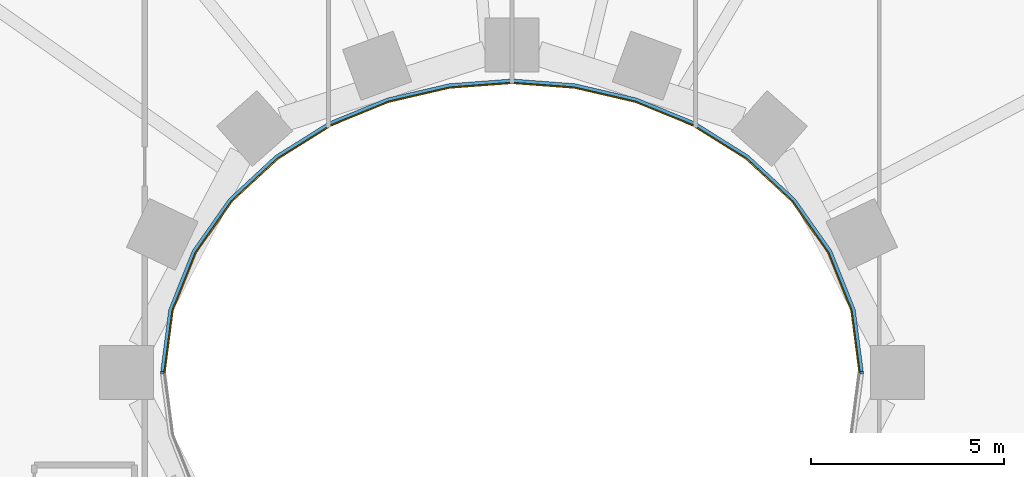
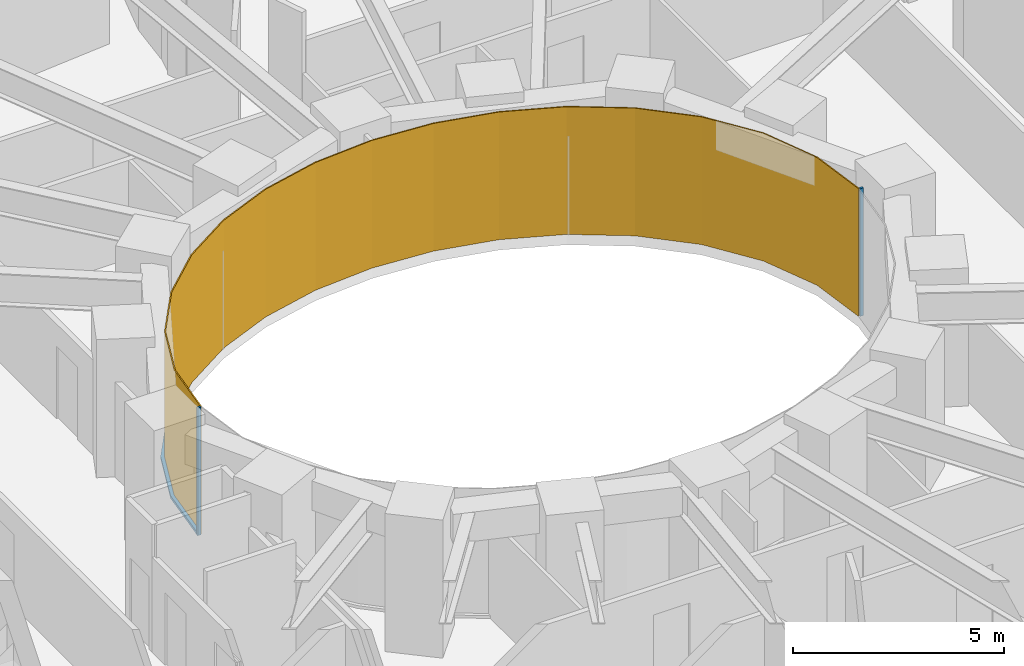
# One storey, part 12 of 16: 3 members, 1 curtain wall.
"""IFC4 building model written with IfcOpenShell, lengths in metres."""

from ifc_helpers import new_model, si_unit, direction, frame, origin, origin_2d, place, context, subcontext, project, spatial, polyline, rectangle, outline, extrude, material, layer, layer_set, material_profile, profile_set, type_object, element, aggregate, save


model = new_model("IFC4")

# Units and contexts
model_context = context("Model", 3, precision=1e-05, world=origin(), true_north=direction((0.0, 1.0)))
body_context = subcontext(model_context, "Body", "Model", "MODEL_VIEW")
ifc_project = project(units=[si_unit("LENGTHUNIT", "METRE"), si_unit("AREAUNIT", "SQUARE_METRE"), si_unit("VOLUMEUNIT", "CUBIC_METRE"), si_unit("PLANEANGLEUNIT", "RADIAN"), si_unit("MASSUNIT", "GRAM", prefix="KILO")], contexts=[model_context])

# Member
ifc_material_1 = material(Name="Steel S355 fire-resisting frame", Category="steel")
ifc_material_profile = material_profile(ifc_material_1, rectangle(XDim=0.090087890625, YDim=0.06005859375, at=origin_2d()), Name="90x60")
ifc_profile_set = profile_set([ifc_material_profile], Name="Steel S355 fire-resisting frame")
member_type_1 = type_object("IfcMemberType", Name="ENV-MULLION-W-90", PredefinedType="MULLION", material=ifc_profile_set)
site_placement = place(None, origin())
building_placement = place(site_placement, origin())
storey_placement = place(building_placement, frame((0.0, 0.0, 46.5)))
member_1_placement = place(storey_placement, frame((9.076904296875, 0.0, 0.0), z_axis=(0.0, 0.0, 1.0), x_axis=(1.0, 0.0, 0.0)))
member_1 = element("IfcMember", 1, at=member_1_placement, type_object=member_type_1, Name="Mullion W well vertex 01", PredefinedType="MULLION", context=body_context, shape_type="SweptSolid", body=[
    extrude(rectangle(XDim=0.090087890625, YDim=0.06005859375, at=origin_2d()), origin(), (0.0, 0.0, 1.0), 3.699951171875),
])

member_2_placement = place(storey_placement, frame((-9.076904296875, 0.0, 0.0), z_axis=(0.0, 0.0, 1.0), x_axis=(-1.0, 0.0, 0.0)))
member_2 = element("IfcMember", 2, at=member_2_placement, type_object=member_type_1, Name="Mullion W well vertex 17", PredefinedType="MULLION", context=body_context, shape_type="SweptSolid", body=[
    extrude(rectangle(XDim=0.090087890625, YDim=0.06005859375, at=origin_2d()), origin(), (0.0, 0.0, 1.0), 3.699951171875),
])

ifc_material_2 = material(Name="Steel S355 fire-resisting frame", Category="steel")
member_type_2 = type_object("IfcMemberType", Name="ENV-TRANSOM-W", PredefinedType="USERDEFINED", material=ifc_material_2)
member_3_placement = place(storey_placement, origin())
member_3 = element("IfcMember", 3, at=member_3_placement, type_object=member_type_2, Name="Transom W well 01-17", ObjectType="TRANSOM", PredefinedType="USERDEFINED", context=body_context, shape_type="SweptSolid", body=[
    extrude(outline(polyline([(9.119384765625, 0.02783203125), (8.910400390625, 1.63623046875), (8.29833984375, 3.167236328125), (7.35107421875, 4.5146484375), (6.1455078125, 5.6337890625), (4.75341796875, 6.50634765625), (3.233642578125, 7.127685546875), (1.635498046875, 7.498779296875), (0.0, 7.622314453125), (-1.635498046875, 7.498779296875), (-3.233642578125, 7.127685546875), (-4.75341796875, 6.50634765625), (-6.1455078125, 5.6337890625), (-7.35107421875, 4.5146484375), (-8.29833984375, 3.167236328125), (-8.910400390625, 1.63623046875), (-9.119384765625, 0.02783203125), (-9.02880859375, 0.02783203125), (-8.822509765625, 1.61328125), (-8.21875, 3.124267578125), (-7.282958984375, 4.455078125), (-6.090576171875, 5.56201171875), (-4.712158203125, 6.426025390625), (-3.206298828125, 7.04150390625), (-1.621826171875, 7.40966796875), (0.0, 7.531982421875), (1.621826171875, 7.40966796875), (3.206298828125, 7.04150390625), (4.712158203125, 6.426025390625), (6.090576171875, 5.56201171875), (7.282958984375, 4.455078125), (8.21875, 3.124267578125), (8.822509765625, 1.61328125), (9.02880859375, 0.02783203125), (9.119384765625, 0.02783203125)])), origin(), (0.0, 0.0, 1.0), 0.080078125),
])

# Site, building, storey
site = spatial("IfcSite", under=ifc_project, at=site_placement, CompositionType="ELEMENT")
building = spatial("IfcBuilding", under=site, at=building_placement, Name="Noorbagh Ring Tower", CompositionType="ELEMENT")
storey = spatial("IfcBuildingStorey", under=building, at=storey_placement, Name="L09", CompositionType="ELEMENT", Elevation=46.5)

# Curtain wall
ifc_material_3 = material(Name="Glass fire-resisting E60 laminated", Category="glass")
ifc_layer = layer(ifc_material_3, 0.031982421875)
ifc_layer_set = layer_set([ifc_layer], Name="Glass fire-resisting E60 laminated")
curtain_wall_type = type_object("IfcCurtainWallType", Name="ENV-CW-W", PredefinedType="NOTDEFINED", material=ifc_layer_set)
curtain_wall_placement = place(storey_placement, origin())
curtain_wall = element("IfcCurtainWall", 4, at=curtain_wall_placement, inside=storey, type_object=curtain_wall_type, Name="Curtain wall W W01", PredefinedType="NOTDEFINED", context=body_context, shape_type="SweptSolid", body=[
    extrude(outline(polyline([(9.0322265625, 0.0), (8.822509765625, 1.61328125), (8.21875, 3.124267578125), (7.282958984375, 4.455078125), (6.090576171875, 5.56201171875), (4.712158203125, 6.426025390625), (3.206298828125, 7.04150390625), (1.621826171875, 7.40966796875), (0.0, 7.531982421875), (-1.621826171875, 7.40966796875), (-3.206298828125, 7.04150390625), (-4.712158203125, 6.426025390625), (-6.090576171875, 5.56201171875), (-7.282958984375, 4.455078125), (-8.21875, 3.124267578125), (-8.822509765625, 1.61328125), (-9.0322265625, 0.0), (-9.0, 0.0), (-8.79150390625, 1.605224609375), (-8.1904296875, 3.10888671875), (-7.2587890625, 4.43408203125), (-6.071044921875, 5.53662109375), (-4.697509765625, 6.3974609375), (-3.196533203125, 7.010986328125), (-1.6171875, 7.3779296875), (0.0, 7.5), (1.6171875, 7.3779296875), (3.196533203125, 7.010986328125), (4.697509765625, 6.3974609375), (6.071044921875, 5.53662109375), (7.2587890625, 4.43408203125), (8.1904296875, 3.10888671875), (8.79150390625, 1.605224609375), (9.0, 0.0), (9.0322265625, 0.0)])), origin(), (0.0, 0.0, 1.0), 3.699951171875),
])

aggregate(curtain_wall, [member_1, member_2, member_3])

save(model, "model.ifc")
